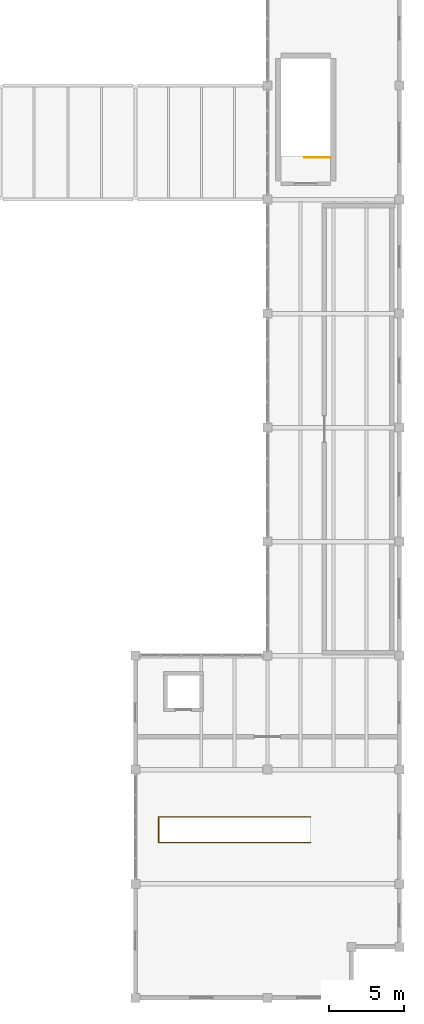
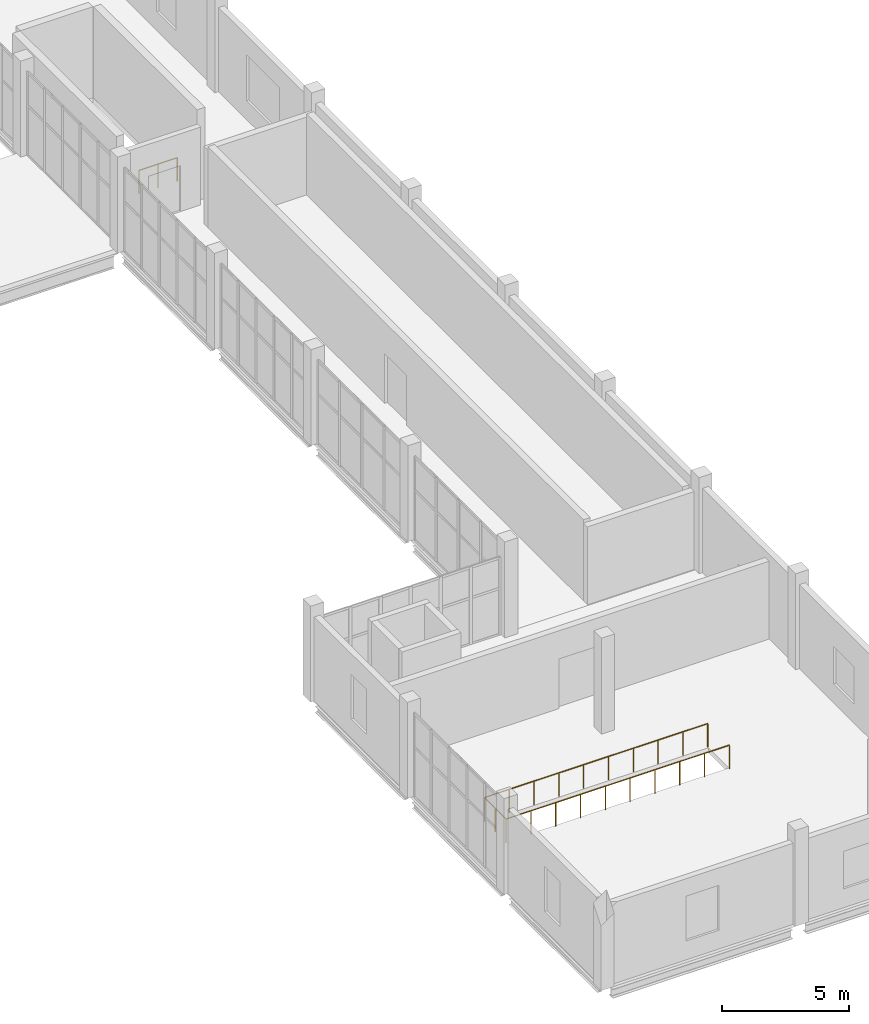
# One storey, part 134 of 136: 2 railings.
"""IFC4 building model written with IfcOpenShell, lengths in metres."""

import ifcopenshell
import ifcopenshell.guid

model = None  # the IFC model being written
_history = None  # IfcOwnerHistory: only IFC2X3 demands one
_inside = {}  # id of a spatial element -> (the spatial element, [elements in it])
_under = {}  # id of a project, library or spatial element -> (it, [spatial elements below it])
_declared = {}  # id of a project -> (the project, [libraries it declares])
_typed = {}  # id of a type object -> (the type object, [elements of that type])
_made_of = {}  # id of a material, layer set ... -> (it, [elements and type objects made of it])


def new_model(schema):
    """Start an empty IFC model of exactly this schema.

    Asked for "IFC4X3", IfcOpenShell would pick the latest addendum, in which some entities
    have other attributes; the version numbers below select the first issue.
    IFC2X3 requires an IfcOwnerHistory on every rooted entity: one is made here for all.
    """
    global model, _history
    if schema == "IFC4X3":
        model = ifcopenshell.file(schema_version=(4, 3, 0, 0))
    else:
        model = ifcopenshell.file(schema=schema)
    _inside.clear()
    _under.clear()
    _declared.clear()
    _typed.clear()
    _made_of.clear()
    _history = None
    if model.schema == "IFC2X3":
        org = make("IfcOrganization", Name="unknown")
        user = make(
            "IfcPersonAndOrganization",
            ThePerson=make("IfcPerson", FamilyName="unknown"),
            TheOrganization=org,
        )
        app = make(
            "IfcApplication",
            ApplicationDeveloper=org,
            Version="unknown",
            ApplicationFullName="unknown",
            ApplicationIdentifier="unknown",
        )
        _history = make(
            "IfcOwnerHistory",
            OwningUser=user,
            OwningApplication=app,
            ChangeAction="ADDED",
            CreationDate=0,
        )
    return model


def make(cls, **values):
    """One entity of the class cls with the attributes given. An attribute that is None is left unset."""
    return model.create_entity(
        cls, **{name: value for name, value in values.items() if value is not None}
    )


def rooted(cls, **values):
    """An entity with a GlobalId (a new one), such as an element, a storey or a relation."""
    return make(cls, GlobalId=ifcopenshell.guid.new(), OwnerHistory=_history, **values)


def si_unit(unit_type, name, prefix=None):
    """IfcSIUnit, for example si_unit("LENGTHUNIT", "METRE", prefix="MILLI")."""
    return make("IfcSIUnit", UnitType=unit_type, Prefix=prefix, Name=name)


def assignment(units):
    """IfcUnitAssignment: the units of a project."""
    return None if units is None else make("IfcUnitAssignment", Units=units)


def point(xyz):
    """IfcCartesianPoint."""
    return None if xyz is None else make("IfcCartesianPoint", Coordinates=xyz)


def direction(xyz):
    """IfcDirection."""
    return None if xyz is None else make("IfcDirection", DirectionRatios=xyz)


def frame(location, z_axis=None, x_axis=None):
    """IfcAxis2Placement3D, a coordinate frame: its origin and axes. An axis left out is left unset."""
    return make(
        "IfcAxis2Placement3D",
        Location=point(location),
        Axis=direction(z_axis),
        RefDirection=direction(x_axis),
    )


def frame_2d(location, x_axis=None):
    """IfcAxis2Placement2D, a coordinate frame in the plane: its origin and x axis."""
    return make(
        "IfcAxis2Placement2D", Location=point(location), RefDirection=direction(x_axis)
    )


def origin():
    """The frame at (0, 0, 0) with its axes left unset."""
    return frame((0.0, 0.0, 0.0))


def origin_2d():
    """The frame at (0, 0) in the plane with its x axis left unset."""
    return frame_2d((0.0, 0.0))


def place(relative_to, where):
    """IfcLocalPlacement: puts the frame where relative to a parent placement (None: the world)."""
    return make(
        "IfcLocalPlacement", PlacementRelTo=relative_to, RelativePlacement=where
    )


def context(
    kind, dimensions, precision=None, world=None, true_north=None, identifier=None
):
    """IfcGeometricRepresentationContext, for example the 3D "Model" context."""
    return make(
        "IfcGeometricRepresentationContext",
        ContextIdentifier=identifier,
        ContextType=kind,
        CoordinateSpaceDimension=dimensions,
        Precision=precision,
        WorldCoordinateSystem=world,
        TrueNorth=true_north,
    )


def subcontext(parent, identifier, kind, view, scale=None):
    """IfcGeometricRepresentationSubContext, for example "Body" below "Model"."""
    return make(
        "IfcGeometricRepresentationSubContext",
        ContextIdentifier=identifier,
        ContextType=kind,
        ParentContext=parent,
        TargetScale=scale,
        TargetView=view,
    )


def project(units=None, contexts=None):
    """IfcProject with its units and contexts."""
    return rooted(
        "IfcProject",
        Name="project",
        RepresentationContexts=contexts,
        UnitsInContext=assignment(units),
    )


def spatial(cls, under=None, at=None, **own):
    """A site, building, storey or space (cls), placed at a placement, below another one or the project."""
    s = rooted(cls, ObjectPlacement=at, **own)
    if under is not None:
        _under.setdefault(under.id(), (under, []))[1].append(s)
    return s


def profile(cls, at=None, kind="AREA", **sizes):
    """A parametric profile (cls). Its sizes go by their IFC names, for example OverallWidth=200.0."""
    return make(cls, ProfileType=kind, Position=at, **sizes)


def circle(**sizes):
    """IfcCircleProfileDef."""
    return profile("IfcCircleProfileDef", **sizes)


def extrude(swept, where, along, depth):
    """IfcExtrudedAreaSolid: the profile swept, set in the frame where, extruded along a direction by depth."""
    return make(
        "IfcExtrudedAreaSolid",
        SweptArea=swept,
        Position=where,
        ExtrudedDirection=direction(along),
        Depth=depth,
    )


def shape(context_of_items, identifier, shape_type, items):
    """IfcShapeRepresentation: the items that make up one representation, for example the "Body"."""
    return make(
        "IfcShapeRepresentation",
        ContextOfItems=context_of_items,
        RepresentationIdentifier=identifier,
        RepresentationType=shape_type,
        Items=items,
    )


def material(Name=None, Category=None):
    """IfcMaterial."""
    return make("IfcMaterial", Name=Name, Category=Category)


def made_of(thing, what):
    """Note that an element or type object is made of a material, layer set ...; save() writes the relation."""
    if what is not None:
        _made_of.setdefault(what.id(), (what, []))[1].append(thing)
    return thing


def type_object(cls, material=None, **own):
    """A type object (cls), such as IfcWallType, which elements share."""
    return made_of(rooted(cls, **own), material)


def element(
    cls,
    number,
    at=None,
    inside=None,
    cuts=None,
    type_object=None,
    material=None,
    context=None,
    identifier="Body",
    shape_type=None,
    held_by="IfcProductDefinitionShape",
    body=None,
    shapes=None,
    **own,
):
    """One element of the class cls, such as IfcWall. Its Tag is "e" and its number.

    at: its placement. inside: the storey or other place that contains it. cuts: it is an
    opening in that element (IfcRelVoidsElement). A single representation is given by context,
    identifier, shape_type and body (its items); several are given by shapes. held_by: the class
    of the entity that holds the representations. save() writes the other relations.
    """
    e = rooted(cls, Tag="e%d" % number, ObjectPlacement=at, **own)
    if body is not None:
        shapes = [shape(context, identifier, shape_type, body)]
    if shapes is not None:
        e.Representation = make(held_by, Representations=shapes)
    if inside is not None:
        _inside.setdefault(inside.id(), (inside, []))[1].append(e)
    if cuts is not None:
        rooted(
            "IfcRelVoidsElement", RelatingBuildingElement=cuts, RelatedOpeningElement=e
        )
    if type_object is not None:
        _typed.setdefault(type_object.id(), (type_object, []))[1].append(e)
    return made_of(e, material)


def aggregate(whole, parts):
    """IfcRelAggregates: a whole, such as a stair, and the parts it consists of."""
    return rooted("IfcRelAggregates", RelatingObject=whole, RelatedObjects=parts)


def save(model, path):
    """Write the relations noted so far, then the file.

    IfcRelAggregates (storeys below a building ...), IfcRelContainedInSpatialStructure (elements
    in a storey), IfcRelDefinesByType, IfcRelAssociatesMaterial and IfcRelDeclares: one each for
    every whole, place, type object, material and project.
    """
    for whole, parts in _under.values():
        aggregate(whole, parts)
    for where, things in _inside.values():
        rooted(
            "IfcRelContainedInSpatialStructure",
            RelatedElements=things,
            RelatingStructure=where,
        )
    for kind, things in _typed.values():
        rooted("IfcRelDefinesByType", RelatedObjects=things, RelatingType=kind)
    for what, things in _made_of.values():
        rooted("IfcRelAssociatesMaterial", RelatedObjects=things, RelatingMaterial=what)
    for by, libraries in _declared.values():
        rooted("IfcRelDeclares", RelatingContext=by, RelatedDefinitions=libraries)
    model.write(path)


model = new_model("IFC4")

# Units and contexts
model_context = context("Model", 3, precision=1e-05, world=origin(), true_north=direction((0.0, 1.0)))
body_context = subcontext(model_context, "Body", "Model", "MODEL_VIEW")
ifc_project = project(units=[si_unit("LENGTHUNIT", "METRE"), si_unit("AREAUNIT", "SQUARE_METRE"), si_unit("VOLUMEUNIT", "CUBIC_METRE"), si_unit("PLANEANGLEUNIT", "RADIAN"), si_unit("MASSUNIT", "GRAM", prefix="KILO")], contexts=[model_context])

# Site, building, storey
site_placement = place(None, origin())
site = spatial("IfcSite", under=ifc_project, at=site_placement, CompositionType="ELEMENT")
building_placement = place(site_placement, origin())
building = spatial("IfcBuilding", under=site, at=building_placement, Name="Shengluoqiao Park Theatre", CompositionType="ELEMENT")
storey_placement = place(building_placement, frame((0.0, 0.0, 10.0)))
storey = spatial("IfcBuildingStorey", under=building, at=storey_placement, Name="L02", CompositionType="ELEMENT", Elevation=10.0)

# Railings
ifc_material_1 = material(Name="Tempered laminated glass", Category="glass")
railing_type_1 = type_object("IfcRailingType", Name="INT-RL-BAL115", PredefinedType="BALUSTRADE", material=ifc_material_1)
railing_1_placement = place(storey_placement, frame((160.070068359375, 10.35009765625, 0.0)))
element("IfcRailing", 1, at=railing_1_placement, inside=storey, type_object=railing_type_1, Name="East Artist Wing Stair 09 Upper Upper Well Guard", PredefinedType="BALUSTRADE", context=body_context, shape_type="SweptSolid", body=[
    extrude(circle(Radius=0.02392578125, at=origin_2d()), frame((0.0, 0.0, 1.1259765625), z_axis=(-1.0, 0.0, 0.0), x_axis=(0.0, -1.0, 0.0)), (0.0, 0.0, 1.0), 10.1201171875),
    extrude(circle(Radius=0.02392578125, at=origin_2d()), frame((-10.1201171875, 0.0, 1.1259765625), z_axis=(0.0, 1.0, 0.0), x_axis=(-1.0, 0.0, 0.0)), (0.0, 0.0, 1.0), 1.699951171875),
    extrude(circle(Radius=0.02392578125, at=origin_2d()), frame((-10.1201171875, 1.699951171875, 1.1259765625), z_axis=(1.0, 0.0, 0.0), x_axis=(0.0, 1.0, 0.0)), (0.0, 0.0, 1.0), 10.1201171875),
    extrude(circle(Radius=0.02099609375, at=origin_2d()), origin(), (0.0, 0.0, 1.0), 1.101806640625),
    extrude(circle(Radius=0.02099609375, at=origin_2d()), frame((-1.12451171875, 0.0, 0.0)), (0.0, 0.0, 1.0), 1.101806640625),
    extrude(circle(Radius=0.02099609375, at=origin_2d()), frame((-2.2490234375, 0.0, 0.0)), (0.0, 0.0, 1.0), 1.101806640625),
    extrude(circle(Radius=0.02099609375, at=origin_2d()), frame((-3.373291015625, 0.0, 0.0)), (0.0, 0.0, 1.0), 1.101806640625),
    extrude(circle(Radius=0.02099609375, at=origin_2d()), frame((-4.497802734375, 0.0, 0.0)), (0.0, 0.0, 1.0), 1.101806640625),
    extrude(circle(Radius=0.02099609375, at=origin_2d()), frame((-5.622314453125, 0.0, 0.0)), (0.0, 0.0, 1.0), 1.101806640625),
    extrude(circle(Radius=0.02099609375, at=origin_2d()), frame((-6.746826171875, 0.0, 0.0)), (0.0, 0.0, 1.0), 1.101806640625),
    extrude(circle(Radius=0.02099609375, at=origin_2d()), frame((-7.87109375, 0.0, 0.0)), (0.0, 0.0, 1.0), 1.101806640625),
    extrude(circle(Radius=0.02099609375, at=origin_2d()), frame((-8.99560546875, 0.0, 0.0)), (0.0, 0.0, 1.0), 1.101806640625),
    extrude(circle(Radius=0.02099609375, at=origin_2d()), frame((-10.1201171875, 0.0, 0.0)), (0.0, 0.0, 1.0), 1.101806640625),
    extrude(circle(Radius=0.02099609375, at=origin_2d()), frame((-10.1201171875, 0.85009765625, 0.0)), (0.0, 0.0, 1.0), 1.101806640625),
    extrude(circle(Radius=0.02099609375, at=origin_2d()), frame((-10.1201171875, 1.699951171875, 0.0)), (0.0, 0.0, 1.0), 1.101806640625),
    extrude(circle(Radius=0.02099609375, at=origin_2d()), frame((-8.99560546875, 1.699951171875, 0.0)), (0.0, 0.0, 1.0), 1.101806640625),
    extrude(circle(Radius=0.02099609375, at=origin_2d()), frame((-7.87109375, 1.699951171875, 0.0)), (0.0, 0.0, 1.0), 1.101806640625),
    extrude(circle(Radius=0.02099609375, at=origin_2d()), frame((-6.746826171875, 1.699951171875, 0.0)), (0.0, 0.0, 1.0), 1.101806640625),
    extrude(circle(Radius=0.02099609375, at=origin_2d()), frame((-5.622314453125, 1.699951171875, 0.0)), (0.0, 0.0, 1.0), 1.101806640625),
    extrude(circle(Radius=0.02099609375, at=origin_2d()), frame((-4.497802734375, 1.699951171875, 0.0)), (0.0, 0.0, 1.0), 1.101806640625),
    extrude(circle(Radius=0.02099609375, at=origin_2d()), frame((-3.373291015625, 1.699951171875, 0.0)), (0.0, 0.0, 1.0), 1.101806640625),
    extrude(circle(Radius=0.02099609375, at=origin_2d()), frame((-2.2490234375, 1.699951171875, 0.0)), (0.0, 0.0, 1.0), 1.101806640625),
    extrude(circle(Radius=0.02099609375, at=origin_2d()), frame((-1.12451171875, 1.699951171875, 0.0)), (0.0, 0.0, 1.0), 1.101806640625),
    extrude(circle(Radius=0.02099609375, at=origin_2d()), frame((0.0, 1.699951171875, 0.0)), (0.0, 0.0, 1.0), 1.101806640625),
])
ifc_material_2 = material(Name="Painted steel", Category="steel")
railing_type_2 = type_object("IfcRailingType", Name="INT-RL-STGRD", PredefinedType="GUARDRAIL", material=ifc_material_2)
railing_2_placement = place(storey_placement, frame((161.39990234375, 56.0, 0.0)))
element("IfcRailing", 2, at=railing_2_placement, inside=storey, type_object=railing_type_2, Name="L02 ST-12 top well guard 1", PredefinedType="GUARDRAIL", context=body_context, shape_type="SweptSolid", body=[
    extrude(circle(Radius=0.02392578125, at=origin_2d()), frame((0.0, 0.0, 1.1259765625), z_axis=(-1.0, 0.0, 0.0), x_axis=(0.0, -1.0, 0.0)), (0.0, 0.0, 1.0), 1.739990234375),
    extrude(circle(Radius=0.02099609375, at=origin_2d()), origin(), (0.0, 0.0, 1.0), 1.101806640625),
    extrude(circle(Radius=0.02099609375, at=origin_2d()), frame((-0.8701171875, 0.0, 0.0)), (0.0, 0.0, 1.0), 1.101806640625),
    extrude(circle(Radius=0.02099609375, at=origin_2d()), frame((-1.739990234375, 0.0, 0.0)), (0.0, 0.0, 1.0), 1.101806640625),
])

save(model, "model.ifc")
